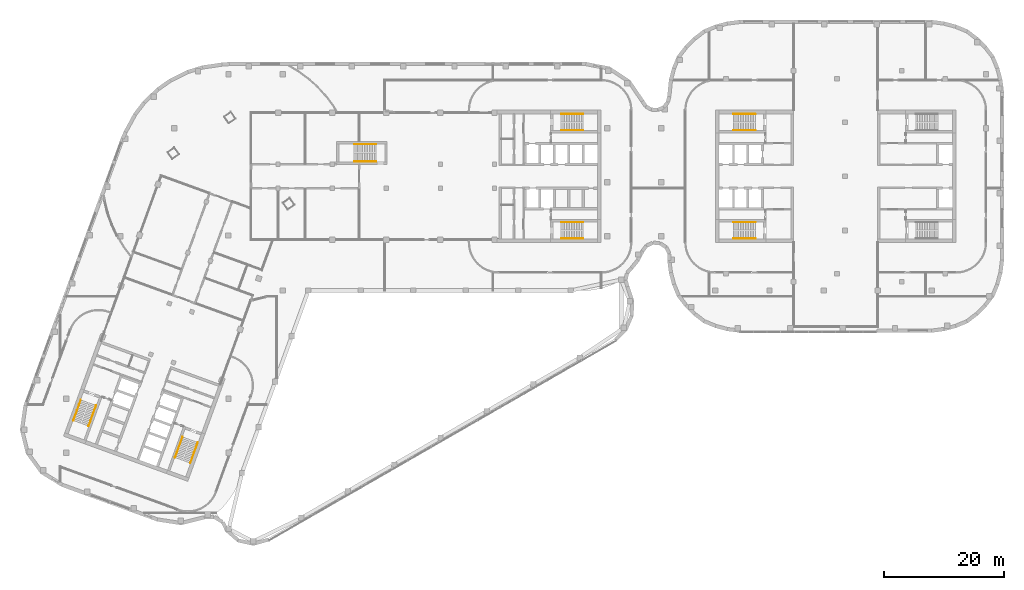
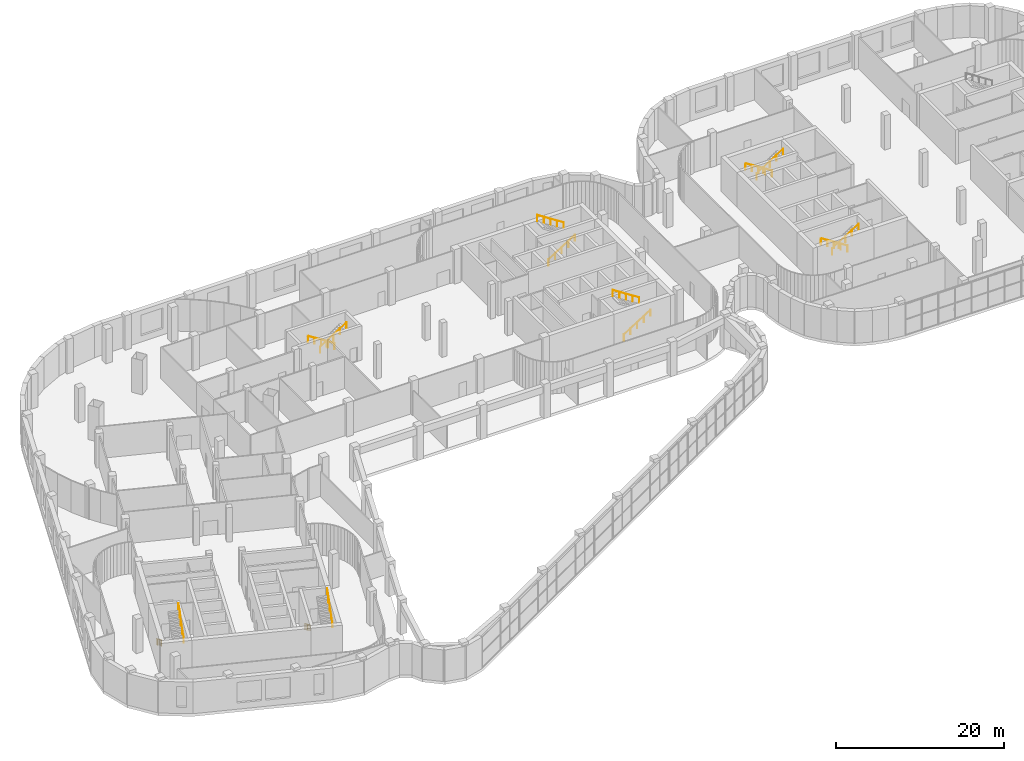
# One storey, part 24 of 25: 14 railings.
"""IFC4 building model written with IfcOpenShell, lengths in metres."""

from ifc_helpers import new_model, si_unit, direction, frame, origin, origin_2d, place, context, subcontext, project, spatial, circle, extrude, material, type_object, element, save


model = new_model("IFC4")

# Units and contexts
model_context = context("Model", 3, precision=1e-05, world=origin(), true_north=direction((0.0, 1.0)))
body_context = subcontext(model_context, "Body", "Model", "MODEL_VIEW")
ifc_project = project(units=[si_unit("LENGTHUNIT", "METRE"), si_unit("AREAUNIT", "SQUARE_METRE"), si_unit("VOLUMEUNIT", "CUBIC_METRE"), si_unit("PLANEANGLEUNIT", "RADIAN"), si_unit("MASSUNIT", "GRAM", prefix="KILO")], contexts=[model_context])

# Site, building, storey
site_placement = place(None, origin())
site = spatial("IfcSite", under=ifc_project, at=site_placement, CompositionType="ELEMENT")
building_placement = place(site_placement, origin())
building = spatial("IfcBuilding", under=site, at=building_placement, Name="Skarvind Civic Tower", CompositionType="ELEMENT")
storey_placement = place(building_placement, frame((0.0, 0.0, 7.5)))
storey = spatial("IfcBuildingStorey", under=building, at=storey_placement, Name="L01", CompositionType="ELEMENT", Elevation=7.5)

# Railings
ifc_material = material(Name="Painted steel handrail", Category="steel")
railing_type = type_object("IfcRailingType", Name="Stair handrail 900", PredefinedType="HANDRAIL", material=ifc_material)
railing_1_placement = place(storey_placement, frame((101.35009765625, 135.64990234375, 0.178466796875)))
element("IfcRailing", 1, at=railing_1_placement, inside=storey, type_object=railing_type, Name="Stair handrail", PredefinedType="HANDRAIL", context=body_context, shape_type="SweptSolid", body=[
    extrude(circle(Radius=0.02392578125, at=origin_2d()), frame((0.0, 0.0, 0.8759765625), z_axis=(0.843111507901, 0.0, 0.53773877045), x_axis=(0.0, 1.0, 0.0)), (0.0, 0.0, 1.0), 4.317138671875),
    extrude(circle(Radius=0.02099609375, at=origin_2d()), origin(), (0.0, 0.0, 1.0), 0.851806640625),
    extrude(circle(Radius=0.02099609375, at=origin_2d()), frame((0.909912109375, 0.0, 0.580322265625)), (0.0, 0.0, 1.0), 0.851806640625),
    extrude(circle(Radius=0.02099609375, at=origin_2d()), frame((1.81982421875, 0.0, 1.16064453125)), (0.0, 0.0, 1.0), 0.851806640625),
    extrude(circle(Radius=0.02099609375, at=origin_2d()), frame((2.72998046875, 0.0, 1.7412109375)), (0.0, 0.0, 1.0), 0.851806640625),
    extrude(circle(Radius=0.02099609375, at=origin_2d()), frame((3.639892578125, 0.0, 2.321533203125)), (0.0, 0.0, 1.0), 0.851806640625),
])
railing_2_placement = place(storey_placement, frame((104.989990234375, 138.35009765625, 2.678466796875)))
element("IfcRailing", 2, at=railing_2_placement, inside=storey, type_object=railing_type, Name="Stair handrail", PredefinedType="HANDRAIL", context=body_context, shape_type="SweptSolid", body=[
    extrude(circle(Radius=0.02392578125, at=origin_2d()), frame((0.0, 0.0, 0.8759765625), z_axis=(-0.843111507901, 0.0, 0.53773877045), x_axis=(0.0, -1.0, 0.0)), (0.0, 0.0, 1.0), 4.317138671875),
    extrude(circle(Radius=0.02099609375, at=origin_2d()), origin(), (0.0, 0.0, 1.0), 0.851806640625),
    extrude(circle(Radius=0.02099609375, at=origin_2d()), frame((-0.909912109375, 0.0, 0.580322265625)), (0.0, 0.0, 1.0), 0.851806640625),
    extrude(circle(Radius=0.02099609375, at=origin_2d()), frame((-1.81982421875, 0.0, 1.16064453125)), (0.0, 0.0, 1.0), 0.851806640625),
    extrude(circle(Radius=0.02099609375, at=origin_2d()), frame((-2.72998046875, 0.0, 1.7412109375)), (0.0, 0.0, 1.0), 0.851806640625),
    extrude(circle(Radius=0.02099609375, at=origin_2d()), frame((-3.639892578125, 0.0, 2.321533203125)), (0.0, 0.0, 1.0), 0.851806640625),
])
railing_3_placement = place(storey_placement, frame((101.35009765625, 117.64990234375, 0.178466796875)))
element("IfcRailing", 3, at=railing_3_placement, inside=storey, type_object=railing_type, Name="Stair handrail", PredefinedType="HANDRAIL", context=body_context, shape_type="SweptSolid", body=[
    extrude(circle(Radius=0.02392578125, at=origin_2d()), frame((0.0, 0.0, 0.8759765625), z_axis=(0.843111507901, 0.0, 0.53773877045), x_axis=(0.0, 1.0, 0.0)), (0.0, 0.0, 1.0), 4.317138671875),
    extrude(circle(Radius=0.02099609375, at=origin_2d()), origin(), (0.0, 0.0, 1.0), 0.851806640625),
    extrude(circle(Radius=0.02099609375, at=origin_2d()), frame((0.909912109375, 0.0, 0.580322265625)), (0.0, 0.0, 1.0), 0.851806640625),
    extrude(circle(Radius=0.02099609375, at=origin_2d()), frame((1.81982421875, 0.0, 1.16064453125)), (0.0, 0.0, 1.0), 0.851806640625),
    extrude(circle(Radius=0.02099609375, at=origin_2d()), frame((2.72998046875, 0.0, 1.7412109375)), (0.0, 0.0, 1.0), 0.851806640625),
    extrude(circle(Radius=0.02099609375, at=origin_2d()), frame((3.639892578125, 0.0, 2.321533203125)), (0.0, 0.0, 1.0), 0.851806640625),
])
railing_4_placement = place(storey_placement, frame((104.989990234375, 120.35009765625, 2.678466796875)))
element("IfcRailing", 4, at=railing_4_placement, inside=storey, type_object=railing_type, Name="Stair handrail", PredefinedType="HANDRAIL", context=body_context, shape_type="SweptSolid", body=[
    extrude(circle(Radius=0.02392578125, at=origin_2d()), frame((0.0, 0.0, 0.8759765625), z_axis=(-0.843111507901, 0.0, 0.53773877045), x_axis=(0.0, -1.0, 0.0)), (0.0, 0.0, 1.0), 4.317138671875),
    extrude(circle(Radius=0.02099609375, at=origin_2d()), origin(), (0.0, 0.0, 1.0), 0.851806640625),
    extrude(circle(Radius=0.02099609375, at=origin_2d()), frame((-0.909912109375, 0.0, 0.580322265625)), (0.0, 0.0, 1.0), 0.851806640625),
    extrude(circle(Radius=0.02099609375, at=origin_2d()), frame((-1.81982421875, 0.0, 1.16064453125)), (0.0, 0.0, 1.0), 0.851806640625),
    extrude(circle(Radius=0.02099609375, at=origin_2d()), frame((-2.72998046875, 0.0, 1.7412109375)), (0.0, 0.0, 1.0), 0.851806640625),
    extrude(circle(Radius=0.02099609375, at=origin_2d()), frame((-3.639892578125, 0.0, 2.321533203125)), (0.0, 0.0, 1.0), 0.851806640625),
])
railing_5_placement = place(storey_placement, frame((38.362060546875, 84.64794921875, 0.178466796875)))
element("IfcRailing", 5, at=railing_5_placement, inside=storey, type_object=railing_type, Name="Stair handrail", PredefinedType="HANDRAIL", context=body_context, shape_type="SweptSolid", body=[
    extrude(circle(Radius=0.02392578125, at=origin_2d()), frame((0.0, 0.0, 0.8759765625), z_axis=(-0.288337369333, -0.792291602614, 0.537713285937), x_axis=(0.93970527225, -0.341985381714, 0.0)), (0.0, 0.0, 1.0), 4.3173828125),
    extrude(circle(Radius=0.02099609375, at=origin_2d()), origin(), (0.0, 0.0, 1.0), 0.851806640625),
    extrude(circle(Radius=0.02099609375, at=origin_2d()), frame((-0.311279296875, -0.855224609375, 0.580322265625)), (0.0, 0.0, 1.0), 0.851806640625),
    extrude(circle(Radius=0.02099609375, at=origin_2d()), frame((-0.62255859375, -1.71044921875, 1.16064453125)), (0.0, 0.0, 1.0), 0.851806640625),
    extrude(circle(Radius=0.02099609375, at=origin_2d()), frame((-0.93359375, -2.5654296875, 1.7412109375)), (0.0, 0.0, 1.0), 0.851806640625),
    extrude(circle(Radius=0.02099609375, at=origin_2d()), frame((-1.244873046875, -3.420654296875, 2.321533203125)), (0.0, 0.0, 1.0), 0.851806640625),
])
railing_6_placement = place(storey_placement, frame((39.654296875, 80.303955078125, 2.678466796875)))
element("IfcRailing", 6, at=railing_6_placement, inside=storey, type_object=railing_type, Name="Stair handrail", PredefinedType="HANDRAIL", context=body_context, shape_type="SweptSolid", body=[
    extrude(circle(Radius=0.02392578125, at=origin_2d()), frame((0.0, 0.0, 0.8759765625), z_axis=(0.288350287938, 0.792270549913, 0.537737377525), x_axis=(-0.939697427507, 0.342006936678, 0.0)), (0.0, 0.0, 1.0), 4.317138671875),
    extrude(circle(Radius=0.02099609375, at=origin_2d()), origin(), (0.0, 0.0, 1.0), 0.851806640625),
    extrude(circle(Radius=0.02099609375, at=origin_2d()), frame((0.311279296875, 0.85498046875, 0.580322265625)), (0.0, 0.0, 1.0), 0.851806640625),
    extrude(circle(Radius=0.02099609375, at=origin_2d()), frame((0.62255859375, 1.710205078125, 1.16064453125)), (0.0, 0.0, 1.0), 0.851806640625),
    extrude(circle(Radius=0.02099609375, at=origin_2d()), frame((0.93359375, 2.5654296875, 1.7412109375)), (0.0, 0.0, 1.0), 0.851806640625),
    extrude(circle(Radius=0.02099609375, at=origin_2d()), frame((1.244873046875, 3.42041015625, 2.321533203125)), (0.0, 0.0, 1.0), 0.851806640625),
])
railing_7_placement = place(storey_placement, frame((21.447509765625, 90.80419921875, 0.178466796875)))
element("IfcRailing", 7, at=railing_7_placement, inside=storey, type_object=railing_type, Name="Stair handrail", PredefinedType="HANDRAIL", context=body_context, shape_type="SweptSolid", body=[
    extrude(circle(Radius=0.02392578125, at=origin_2d()), frame((0.0, 0.0, 0.8759765625), z_axis=(-0.288350287938, -0.792270549913, 0.537737377525), x_axis=(0.939697427507, -0.342006936678, 0.0)), (0.0, 0.0, 1.0), 4.317138671875),
    extrude(circle(Radius=0.02099609375, at=origin_2d()), origin(), (0.0, 0.0, 1.0), 0.851806640625),
    extrude(circle(Radius=0.02099609375, at=origin_2d()), frame((-0.311279296875, -0.85498046875, 0.580322265625)), (0.0, 0.0, 1.0), 0.851806640625),
    extrude(circle(Radius=0.02099609375, at=origin_2d()), frame((-0.62255859375, -1.710205078125, 1.16064453125)), (0.0, 0.0, 1.0), 0.851806640625),
    extrude(circle(Radius=0.02099609375, at=origin_2d()), frame((-0.93359375, -2.5654296875, 1.7412109375)), (0.0, 0.0, 1.0), 0.851806640625),
    extrude(circle(Radius=0.02099609375, at=origin_2d()), frame((-1.244873046875, -3.42041015625, 2.321533203125)), (0.0, 0.0, 1.0), 0.851806640625),
])
railing_8_placement = place(storey_placement, frame((22.73974609375, 86.460205078125, 2.678466796875)))
element("IfcRailing", 8, at=railing_8_placement, inside=storey, type_object=railing_type, Name="Stair handrail", PredefinedType="HANDRAIL", context=body_context, shape_type="SweptSolid", body=[
    extrude(circle(Radius=0.02392578125, at=origin_2d()), frame((0.0, 0.0, 0.8759765625), z_axis=(0.288389214594, 0.792278683466, 0.537704517956), x_axis=(-0.939683717183, 0.342044604784, 0.0)), (0.0, 0.0, 1.0), 4.3173828125),
    extrude(circle(Radius=0.02099609375, at=origin_2d()), origin(), (0.0, 0.0, 1.0), 0.851806640625),
    extrude(circle(Radius=0.02099609375, at=origin_2d()), frame((0.311279296875, 0.855224609375, 0.580322265625)), (0.0, 0.0, 1.0), 0.851806640625),
    extrude(circle(Radius=0.02099609375, at=origin_2d()), frame((0.62255859375, 1.71044921875, 1.16064453125)), (0.0, 0.0, 1.0), 0.851806640625),
    extrude(circle(Radius=0.02099609375, at=origin_2d()), frame((0.933837890625, 2.5654296875, 1.7412109375)), (0.0, 0.0, 1.0), 0.851806640625),
    extrude(circle(Radius=0.02099609375, at=origin_2d()), frame((1.2451171875, 3.420654296875, 2.321533203125)), (0.0, 0.0, 1.0), 0.851806640625),
])
railing_9_placement = place(storey_placement, frame((133.64990234375, 120.35009765625, 0.178466796875)))
element("IfcRailing", 9, at=railing_9_placement, inside=storey, type_object=railing_type, Name="Stair handrail", PredefinedType="HANDRAIL", context=body_context, shape_type="SweptSolid", body=[
    extrude(circle(Radius=0.02392578125, at=origin_2d()), frame((0.0, 0.0, 0.8759765625), z_axis=(-0.843111507901, 0.0, 0.53773877045), x_axis=(0.0, -1.0, 0.0)), (0.0, 0.0, 1.0), 4.317138671875),
    extrude(circle(Radius=0.02099609375, at=origin_2d()), origin(), (0.0, 0.0, 1.0), 0.851806640625),
    extrude(circle(Radius=0.02099609375, at=origin_2d()), frame((-0.909912109375, 0.0, 0.580322265625)), (0.0, 0.0, 1.0), 0.851806640625),
    extrude(circle(Radius=0.02099609375, at=origin_2d()), frame((-1.81982421875, 0.0, 1.16064453125)), (0.0, 0.0, 1.0), 0.851806640625),
    extrude(circle(Radius=0.02099609375, at=origin_2d()), frame((-2.72998046875, 0.0, 1.7412109375)), (0.0, 0.0, 1.0), 0.851806640625),
    extrude(circle(Radius=0.02099609375, at=origin_2d()), frame((-3.639892578125, 0.0, 2.321533203125)), (0.0, 0.0, 1.0), 0.851806640625),
])
railing_10_placement = place(storey_placement, frame((130.010009765625, 117.64990234375, 2.678466796875)))
element("IfcRailing", 10, at=railing_10_placement, inside=storey, type_object=railing_type, Name="Stair handrail", PredefinedType="HANDRAIL", context=body_context, shape_type="SweptSolid", body=[
    extrude(circle(Radius=0.02392578125, at=origin_2d()), frame((0.0, 0.0, 0.8759765625), z_axis=(0.843111507901, 0.0, 0.53773877045), x_axis=(0.0, 1.0, 0.0)), (0.0, 0.0, 1.0), 4.317138671875),
    extrude(circle(Radius=0.02099609375, at=origin_2d()), origin(), (0.0, 0.0, 1.0), 0.851806640625),
    extrude(circle(Radius=0.02099609375, at=origin_2d()), frame((0.909912109375, 0.0, 0.580322265625)), (0.0, 0.0, 1.0), 0.851806640625),
    extrude(circle(Radius=0.02099609375, at=origin_2d()), frame((1.81982421875, 0.0, 1.16064453125)), (0.0, 0.0, 1.0), 0.851806640625),
    extrude(circle(Radius=0.02099609375, at=origin_2d()), frame((2.72998046875, 0.0, 1.7412109375)), (0.0, 0.0, 1.0), 0.851806640625),
    extrude(circle(Radius=0.02099609375, at=origin_2d()), frame((3.639892578125, 0.0, 2.321533203125)), (0.0, 0.0, 1.0), 0.851806640625),
])
railing_11_placement = place(storey_placement, frame((133.64990234375, 138.35009765625, 0.178466796875)))
element("IfcRailing", 11, at=railing_11_placement, inside=storey, type_object=railing_type, Name="Stair handrail", PredefinedType="HANDRAIL", context=body_context, shape_type="SweptSolid", body=[
    extrude(circle(Radius=0.02392578125, at=origin_2d()), frame((0.0, 0.0, 0.8759765625), z_axis=(-0.843111507901, 0.0, 0.53773877045), x_axis=(0.0, -1.0, 0.0)), (0.0, 0.0, 1.0), 4.317138671875),
    extrude(circle(Radius=0.02099609375, at=origin_2d()), origin(), (0.0, 0.0, 1.0), 0.851806640625),
    extrude(circle(Radius=0.02099609375, at=origin_2d()), frame((-0.909912109375, 0.0, 0.580322265625)), (0.0, 0.0, 1.0), 0.851806640625),
    extrude(circle(Radius=0.02099609375, at=origin_2d()), frame((-1.81982421875, 0.0, 1.16064453125)), (0.0, 0.0, 1.0), 0.851806640625),
    extrude(circle(Radius=0.02099609375, at=origin_2d()), frame((-2.72998046875, 0.0, 1.7412109375)), (0.0, 0.0, 1.0), 0.851806640625),
    extrude(circle(Radius=0.02099609375, at=origin_2d()), frame((-3.639892578125, 0.0, 2.321533203125)), (0.0, 0.0, 1.0), 0.851806640625),
])
railing_12_placement = place(storey_placement, frame((130.010009765625, 135.64990234375, 2.678466796875)))
element("IfcRailing", 12, at=railing_12_placement, inside=storey, type_object=railing_type, Name="Stair handrail", PredefinedType="HANDRAIL", context=body_context, shape_type="SweptSolid", body=[
    extrude(circle(Radius=0.02392578125, at=origin_2d()), frame((0.0, 0.0, 0.8759765625), z_axis=(0.843111507901, 0.0, 0.53773877045), x_axis=(0.0, 1.0, 0.0)), (0.0, 0.0, 1.0), 4.317138671875),
    extrude(circle(Radius=0.02099609375, at=origin_2d()), origin(), (0.0, 0.0, 1.0), 0.851806640625),
    extrude(circle(Radius=0.02099609375, at=origin_2d()), frame((0.909912109375, 0.0, 0.580322265625)), (0.0, 0.0, 1.0), 0.851806640625),
    extrude(circle(Radius=0.02099609375, at=origin_2d()), frame((1.81982421875, 0.0, 1.16064453125)), (0.0, 0.0, 1.0), 0.851806640625),
    extrude(circle(Radius=0.02099609375, at=origin_2d()), frame((2.72998046875, 0.0, 1.7412109375)), (0.0, 0.0, 1.0), 0.851806640625),
    extrude(circle(Radius=0.02099609375, at=origin_2d()), frame((3.639892578125, 0.0, 2.321533203125)), (0.0, 0.0, 1.0), 0.851806640625),
])
railing_13_placement = place(storey_placement, frame((70.550048828125, 133.35009765625, 0.178466796875)))
element("IfcRailing", 13, at=railing_13_placement, inside=storey, type_object=railing_type, Name="Stair handrail", PredefinedType="HANDRAIL", context=body_context, shape_type="SweptSolid", body=[
    extrude(circle(Radius=0.02392578125, at=origin_2d()), frame((0.0, 0.0, 0.8759765625), z_axis=(-0.843127859045, 0.0, 0.537713132908), x_axis=(0.0, -1.0, 0.0)), (0.0, 0.0, 1.0), 4.3173828125),
    extrude(circle(Radius=0.02099609375, at=origin_2d()), origin(), (0.0, 0.0, 1.0), 0.851806640625),
    extrude(circle(Radius=0.02099609375, at=origin_2d()), frame((-0.91015625, 0.0, 0.580322265625)), (0.0, 0.0, 1.0), 0.851806640625),
    extrude(circle(Radius=0.02099609375, at=origin_2d()), frame((-1.820068359375, 0.0, 1.16064453125)), (0.0, 0.0, 1.0), 0.851806640625),
    extrude(circle(Radius=0.02099609375, at=origin_2d()), frame((-2.72998046875, 0.0, 1.7412109375)), (0.0, 0.0, 1.0), 0.851806640625),
    extrude(circle(Radius=0.02099609375, at=origin_2d()), frame((-3.64013671875, 0.0, 2.321533203125)), (0.0, 0.0, 1.0), 0.851806640625),
])
railing_14_placement = place(storey_placement, frame((66.909912109375, 130.449951171875, 2.678466796875)))
element("IfcRailing", 14, at=railing_14_placement, inside=storey, type_object=railing_type, Name="Stair handrail", PredefinedType="HANDRAIL", context=body_context, shape_type="SweptSolid", body=[
    extrude(circle(Radius=0.02392578125, at=origin_2d()), frame((0.0, 0.0, 0.8759765625), z_axis=(0.843127859045, 0.0, 0.537713132908), x_axis=(0.0, 1.0, 0.0)), (0.0, 0.0, 1.0), 4.3173828125),
    extrude(circle(Radius=0.02099609375, at=origin_2d()), origin(), (0.0, 0.0, 1.0), 0.851806640625),
    extrude(circle(Radius=0.02099609375, at=origin_2d()), frame((0.91015625, 0.0, 0.580322265625)), (0.0, 0.0, 1.0), 0.851806640625),
    extrude(circle(Radius=0.02099609375, at=origin_2d()), frame((1.820068359375, 0.0, 1.16064453125)), (0.0, 0.0, 1.0), 0.851806640625),
    extrude(circle(Radius=0.02099609375, at=origin_2d()), frame((2.72998046875, 0.0, 1.7412109375)), (0.0, 0.0, 1.0), 0.851806640625),
    extrude(circle(Radius=0.02099609375, at=origin_2d()), frame((3.64013671875, 0.0, 2.321533203125)), (0.0, 0.0, 1.0), 0.851806640625),
])

save(model, "model.ifc")
